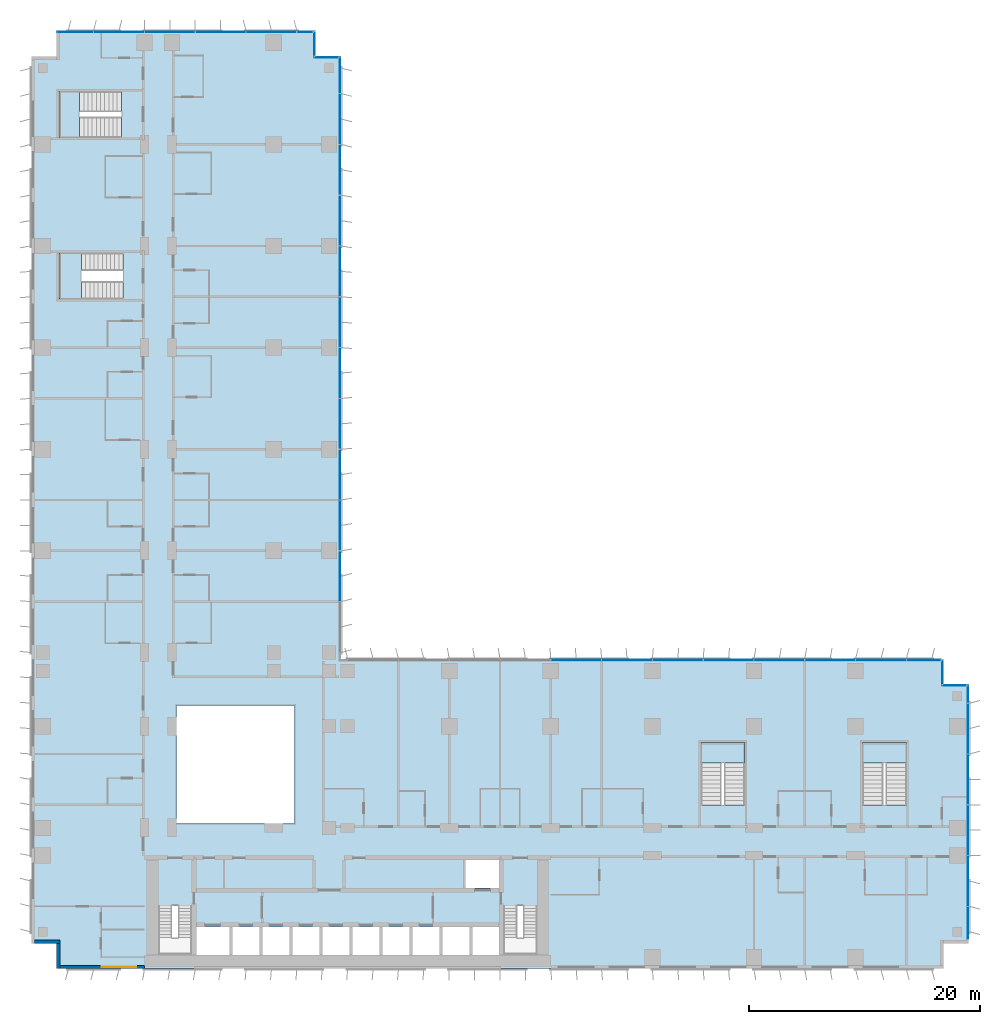
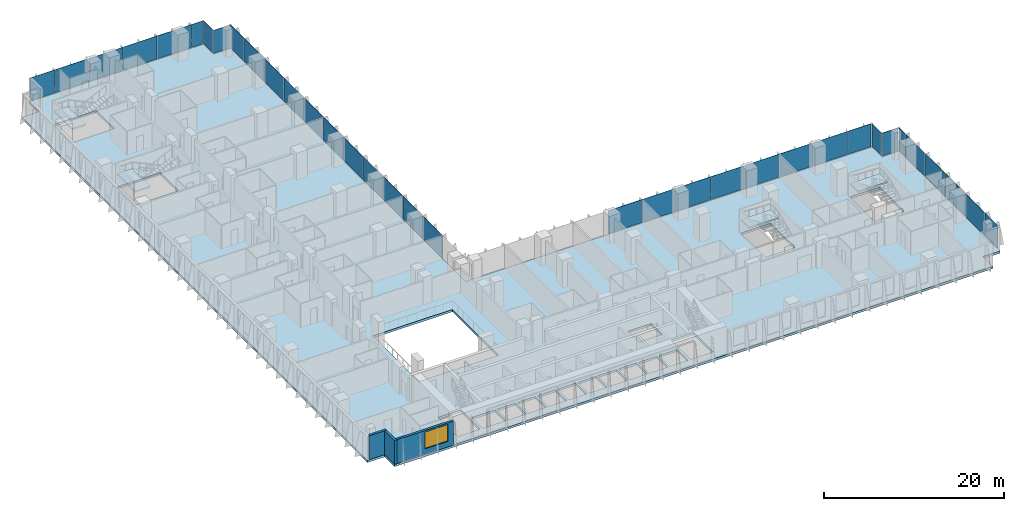
# One storey, part 11 of 23: 35 plates, 5 slabs, 3 walls, 1 window, 1 opening, 12 elements without a shape of their own.
"""IFC4 building model written with IfcOpenShell, lengths in metres."""

from ifc_helpers import new_model, si_unit, direction, frame, frame_2d, origin, origin_2d, place, context, subcontext, project, spatial, polyline, rectangle, outline, extrude, source, transform, mapped, material, layer, layer_set, type_object, element, fill, aggregate, save


model = new_model("IFC4")

# Units and contexts
model_context = context("Model", 3, precision=1e-05, world=origin(), true_north=direction((0.0, 1.0)))
body_context = subcontext(model_context, "Body", "Model", "MODEL_VIEW")
ifc_project = project(units=[si_unit("LENGTHUNIT", "METRE"), si_unit("AREAUNIT", "SQUARE_METRE"), si_unit("VOLUMEUNIT", "CUBIC_METRE"), si_unit("PLANEANGLEUNIT", "RADIAN"), si_unit("MASSUNIT", "GRAM", prefix="KILO")], contexts=[model_context])

# Site, building, storey
site_placement = place(None, origin())
site = spatial("IfcSite", under=ifc_project, at=site_placement, CompositionType="ELEMENT")
building_placement = place(site_placement, origin())
building = spatial("IfcBuilding", under=site, at=building_placement, Name="Kemantara Hotel Tower", CompositionType="ELEMENT")
storey_placement = place(building_placement, frame((0.0, 0.0, 67.300048828125)))
storey = spatial("IfcBuildingStorey", under=building, at=storey_placement, Name="L15", CompositionType="ELEMENT", Elevation=67.300048828125)

# Slab
ifc_material_1 = material(Name="Concrete fc 40 MPa", Category="concrete")
ifc_layer_1 = layer(ifc_material_1, 0.300048828125)
ifc_layer_set_1 = layer_set([ifc_layer_1], Name="Concrete fc 40 MPa")
slab_type_1 = type_object("IfcSlabType", Name="POST-TENSIONED FLAT PLATE 300", PredefinedType="FLOOR", material=ifc_layer_set_1)
slab_1_placement = place(storey_placement, frame((0.0, 0.0, -0.300048828125)))
element("IfcSlab", 1, at=slab_1_placement, inside=storey, type_object=slab_type_1, Name="FLOOR SLAB L15", PredefinedType="FLOOR", context=body_context, shape_type="SweptSolid", body=[
    extrude(outline(polyline([(0.0, 2.199951171875), (2.199951171875, 2.199951171875), (2.199951171875, 0.0), (79.0, 0.0), (79.0, 2.199951171875), (81.199951171875, 2.199951171875), (81.199951171875, 24.60009765625), (79.0, 24.60009765625), (79.0, 26.800048828125), (26.800048828125, 26.800048828125), (26.800048828125, 79.0), (24.60009765625, 79.0), (24.60009765625, 81.199951171875), (2.199951171875, 81.199951171875), (2.199951171875, 79.0), (0.0, 79.0), (0.0, 2.199951171875)]), holes=[polyline([(17.175048828125, 1.199951171875), (14.22509765625, 1.199951171875), (14.22509765625, 3.60009765625), (17.175048828125, 3.60009765625), (17.175048828125, 1.199951171875)]), polyline([(19.77490234375, 1.199951171875), (17.425048828125, 1.199951171875), (17.425048828125, 3.60009765625), (19.77490234375, 3.60009765625), (19.77490234375, 1.199951171875)]), polyline([(22.375, 1.199951171875), (20.02490234375, 1.199951171875), (20.02490234375, 3.60009765625), (22.375, 3.60009765625), (22.375, 1.199951171875)]), polyline([(24.97509765625, 1.199951171875), (22.625, 1.199951171875), (22.625, 3.60009765625), (24.97509765625, 3.60009765625), (24.97509765625, 1.199951171875)]), polyline([(27.574951171875, 1.199951171875), (25.22509765625, 1.199951171875), (25.22509765625, 3.60009765625), (27.574951171875, 3.60009765625), (27.574951171875, 1.199951171875)]), polyline([(11.0, 1.199951171875), (11.0, 5.49951171875), (13.89990234375, 5.49951171875), (13.89990234375, 1.199951171875), (11.0, 1.199951171875)]), polyline([(22.800048828125, 12.60009765625), (12.60009765625, 12.60009765625), (12.60009765625, 22.800048828125), (22.800048828125, 22.800048828125), (22.800048828125, 12.60009765625)]), polyline([(7.949462890625, 62.0), (7.949462890625, 58.0), (2.39990234375, 58.0), (2.39990234375, 62.0), (7.949462890625, 62.0)]), polyline([(7.79931640625, 76.0), (7.79931640625, 72.0), (2.39990234375, 72.0), (2.39990234375, 76.0), (7.79931640625, 76.0)]), polyline([(30.175048828125, 1.199951171875), (27.824951171875, 1.199951171875), (27.824951171875, 3.60009765625), (30.175048828125, 3.60009765625), (30.175048828125, 1.199951171875)]), polyline([(32.77490234375, 1.199951171875), (30.425048828125, 1.199951171875), (30.425048828125, 3.60009765625), (32.77490234375, 3.60009765625), (32.77490234375, 1.199951171875)]), polyline([(35.375, 1.199951171875), (33.02490234375, 1.199951171875), (33.02490234375, 3.60009765625), (35.375, 3.60009765625), (35.375, 1.199951171875)]), polyline([(37.97509765625, 1.199951171875), (35.625, 1.199951171875), (35.625, 3.60009765625), (37.97509765625, 3.60009765625), (37.97509765625, 1.199951171875)]), polyline([(40.574951171875, 1.199951171875), (38.22509765625, 1.199951171875), (38.22509765625, 3.60009765625), (40.574951171875, 3.60009765625), (40.574951171875, 1.199951171875)]), polyline([(40.89990234375, 1.199951171875), (40.89990234375, 5.49951171875), (43.800048828125, 5.49951171875), (43.800048828125, 1.199951171875), (40.89990234375, 1.199951171875)]), polyline([(40.574951171875, 7.0), (37.625, 7.0), (37.625, 9.39990234375), (40.574951171875, 9.39990234375), (40.574951171875, 7.0)]), polyline([(61.800048828125, 14.20068359375), (58.0, 14.20068359375), (58.0, 19.60009765625), (61.800048828125, 19.60009765625), (61.800048828125, 14.20068359375)]), polyline([(75.800048828125, 14.20068359375), (72.0, 14.20068359375), (72.0, 19.60009765625), (75.800048828125, 19.60009765625), (75.800048828125, 14.20068359375)])]), origin(), (0.0, 0.0, 1.0), 0.300048828125),
])

# Stair, slab
stair_type_1 = type_object("IfcStairType", Name="Stair 1800 wide 22 risers of 168 x 360 mm", PredefinedType="HALF_TURN_STAIR", material=ifc_material_1)
stair_1_placement = place(storey_placement, origin())
stair_1 = element("IfcStair", 2, at=stair_1_placement, inside=storey, type_object=stair_type_1, Name="L15 Exit stair ST3", PredefinedType="HALF_TURN_STAIR")
ifc_layer_2 = layer(ifc_material_1, 0.199951171875)
ifc_layer_set_2 = layer_set([ifc_layer_2], Name="Concrete fc 40 MPa")
slab_type_2 = type_object("IfcSlabType", Name="Stair landing 200 mm", PredefinedType="LANDING", material=ifc_layer_set_2)
slab_2_placement = place(storey_placement, frame((0.0, 0.0, 1.64990234375)))
slab_2 = element("IfcSlab", 3, at=slab_2_placement, type_object=slab_type_2, Name="ST3 landing 1", PredefinedType="LANDING", context=body_context, shape_type="SweptSolid", body=[
    extrude(outline(polyline([(61.800048828125, 17.800048828125), (61.800048828125, 19.60009765625), (58.0, 19.60009765625), (58.0, 17.800048828125), (61.800048828125, 17.800048828125)])), origin(), (0.0, 0.0, 1.0), 0.199951171875),
])
aggregate(stair_1, [slab_2])

stair_type_2 = type_object("IfcStairType", Name="Stair 1550 wide 22 risers of 168 x 360 mm", PredefinedType="HALF_TURN_STAIR", material=ifc_material_1)
stair_2_placement = place(storey_placement, origin())
stair_2 = element("IfcStair", 4, at=stair_2_placement, inside=storey, type_object=stair_type_2, Name="L15 Exit stair ST4", PredefinedType="HALF_TURN_STAIR")
slab_3_placement = place(storey_placement, frame((0.0, 0.0, 1.64990234375)))
slab_3 = element("IfcSlab", 5, at=slab_3_placement, type_object=slab_type_2, Name="ST4 landing 1", PredefinedType="LANDING", context=body_context, shape_type="SweptSolid", body=[
    extrude(outline(polyline([(4.35009765625, 62.0), (2.39990234375, 62.0), (2.39990234375, 58.0), (4.35009765625, 58.0), (4.35009765625, 62.0)])), origin(), (0.0, 0.0, 1.0), 0.199951171875),
])
aggregate(stair_2, [slab_3])

stair_3_placement = place(storey_placement, origin())
stair_3 = element("IfcStair", 6, at=stair_3_placement, inside=storey, type_object=stair_type_1, Name="L15 Exit stair ST5", PredefinedType="HALF_TURN_STAIR")
slab_4_placement = place(storey_placement, frame((0.0, 0.0, 1.64990234375)))
slab_4 = element("IfcSlab", 7, at=slab_4_placement, type_object=slab_type_2, Name="ST5 landing 1", PredefinedType="LANDING", context=body_context, shape_type="SweptSolid", body=[
    extrude(outline(polyline([(75.800048828125, 17.800048828125), (75.800048828125, 19.60009765625), (72.0, 19.60009765625), (72.0, 17.800048828125), (75.800048828125, 17.800048828125)])), origin(), (0.0, 0.0, 1.0), 0.199951171875),
])
aggregate(stair_3, [slab_4])

stair_4_placement = place(storey_placement, origin())
stair_4 = element("IfcStair", 8, at=stair_4_placement, inside=storey, type_object=stair_type_1, Name="L15 Exit stair ST6", PredefinedType="HALF_TURN_STAIR")
slab_5_placement = place(storey_placement, frame((0.0, 0.0, 1.64990234375)))
slab_5 = element("IfcSlab", 9, at=slab_5_placement, type_object=slab_type_2, Name="ST6 landing 1", PredefinedType="LANDING", context=body_context, shape_type="SweptSolid", body=[
    extrude(outline(polyline([(4.199951171875, 76.0), (2.39990234375, 76.0), (2.39990234375, 72.0), (4.199951171875, 72.0), (4.199951171875, 76.0)])), origin(), (0.0, 0.0, 1.0), 0.199951171875),
])
aggregate(stair_4, [slab_5])

# Curtain wall, plates
ifc_material_2 = material(Name="Low-E tinted double insulated glass 36 mm", Category="glass")
curtain_wall_type = type_object("IfcCurtainWallType", Name="TOWER CURTAIN WALL, FRONT FACES", PredefinedType="USERDEFINED", material=ifc_material_2)
curtain_wall_1_placement = place(storey_placement, origin())
curtain_wall_1 = element("IfcCurtainWall", 10, at=curtain_wall_1_placement, inside=storey, type_object=curtain_wall_type, Name="CW4 L15 T1-R04-1", ObjectType="TOWER CURTAIN WALL, FRONT FACES", PredefinedType="USERDEFINED")
ifc_layer_3 = layer(ifc_material_2, 0.035888671875)
ifc_layer_set_3 = layer_set([ifc_layer_3], Name="Low-E tinted double insulated glass 36 mm")
plate_type = type_object("IfcPlateType", Name="TOWER CURTAIN WALL, FRONT FACES PANEL", PredefinedType="CURTAIN_PANEL", material=ifc_layer_set_3)
shared_shape_1 = source(origin(), body_context, "Body", "SweptSolid", [
    extrude(rectangle(XDim=2.81005859375, YDim=0.035888671875, at=origin_2d()), origin(), (0.0, 0.0, 1.0), 3.1298828125),
])
plate_1_placement = place(storey_placement, frame((81.125, 3.965087890625, 0.1201171875), z_axis=(0.0, 0.0, 1.0), x_axis=(0.0, 1.0, 0.0)))
plate_1 = element("IfcPlate", 11, at=plate_1_placement, type_object=plate_type, Name="CW4 glass panel T1-R04-1.1", PredefinedType="CURTAIN_PANEL", context=body_context, shape_type="MappedRepresentation", body=[
    mapped(shared_shape_1, transform((0.0, 0.0, 0.0))),
])
shared_shape_2 = source(origin(), body_context, "Body", "SweptSolid", [
    extrude(rectangle(XDim=4.340087890625, YDim=0.035888671875, at=origin_2d()), origin(), (0.0, 0.0, 1.0), 3.1298828125),
])
plate_2_placement = place(storey_placement, frame((81.125, 7.60009765625, 0.1201171875), z_axis=(0.0, 0.0, 1.0), x_axis=(0.0, 1.0, 0.0)))
plate_2 = element("IfcPlate", 12, at=plate_2_placement, type_object=plate_type, Name="CW4 glass panel T1-R04-1.2", PredefinedType="CURTAIN_PANEL", context=body_context, shape_type="MappedRepresentation", body=[
    mapped(shared_shape_2, transform((0.0, 0.0, 0.0))),
])
plate_3_placement = place(storey_placement, frame((81.125, 12.0, 0.1201171875), z_axis=(0.0, 0.0, 1.0), x_axis=(0.0, 1.0, 0.0)))
plate_3 = element("IfcPlate", 13, at=plate_3_placement, type_object=plate_type, Name="CW4 glass panel T1-R04-1.3", PredefinedType="CURTAIN_PANEL", context=body_context, shape_type="MappedRepresentation", body=[
    mapped(shared_shape_2, transform((0.0, 0.0, 0.0))),
])
plate_4_placement = place(storey_placement, frame((81.125, 16.39990234375, 0.1201171875), z_axis=(0.0, 0.0, 1.0), x_axis=(0.0, 1.0, 0.0)))
plate_4 = element("IfcPlate", 14, at=plate_4_placement, type_object=plate_type, Name="CW4 glass panel T1-R04-1.4", PredefinedType="CURTAIN_PANEL", context=body_context, shape_type="MappedRepresentation", body=[
    mapped(shared_shape_2, transform((0.0, 0.0, 0.0))),
])
plate_5_placement = place(storey_placement, frame((81.125, 20.800048828125, 0.1201171875), z_axis=(0.0, 0.0, 1.0), x_axis=(0.0, 1.0, 0.0)))
plate_5 = element("IfcPlate", 15, at=plate_5_placement, type_object=plate_type, Name="CW4 glass panel T1-R04-1.5", PredefinedType="CURTAIN_PANEL", context=body_context, shape_type="MappedRepresentation", body=[
    mapped(shared_shape_2, transform((0.0, 0.0, 0.0))),
])

curtain_wall_2_placement = place(storey_placement, origin())
curtain_wall_2 = element("IfcCurtainWall", 16, at=curtain_wall_2_placement, inside=storey, type_object=curtain_wall_type, Name="CW4 L15 T1-R07-1", ObjectType="TOWER CURTAIN WALL, FRONT FACES", PredefinedType="USERDEFINED")
plate_6_placement = place(storey_placement, frame((73.60009765625, 26.72509765625, 0.1201171875), z_axis=(0.0, 0.0, 1.0), x_axis=(-1.0, 0.0, 0.0)))
plate_6 = element("IfcPlate", 17, at=plate_6_placement, type_object=plate_type, Name="CW4 glass panel T1-R07-1.2", PredefinedType="CURTAIN_PANEL", context=body_context, shape_type="MappedRepresentation", body=[
    mapped(shared_shape_2, transform((0.0, 0.0, 0.0))),
])
plate_7_placement = place(storey_placement, frame((69.199951171875, 26.72509765625, 0.1201171875), z_axis=(0.0, 0.0, 1.0), x_axis=(-1.0, 0.0, 0.0)))
plate_7 = element("IfcPlate", 18, at=plate_7_placement, type_object=plate_type, Name="CW4 glass panel T1-R07-1.3", PredefinedType="CURTAIN_PANEL", context=body_context, shape_type="MappedRepresentation", body=[
    mapped(shared_shape_2, transform((0.0, 0.0, 0.0))),
])
plate_8_placement = place(storey_placement, frame((64.800048828125, 26.72509765625, 0.1201171875), z_axis=(0.0, 0.0, 1.0), x_axis=(-1.0, 0.0, 0.0)))
plate_8 = element("IfcPlate", 19, at=plate_8_placement, type_object=plate_type, Name="CW4 glass panel T1-R07-1.4", PredefinedType="CURTAIN_PANEL", context=body_context, shape_type="MappedRepresentation", body=[
    mapped(shared_shape_2, transform((0.0, 0.0, 0.0))),
])
plate_9_placement = place(storey_placement, frame((60.39990234375, 26.72509765625, 0.1201171875), z_axis=(0.0, 0.0, 1.0), x_axis=(-1.0, 0.0, 0.0)))
plate_9 = element("IfcPlate", 20, at=plate_9_placement, type_object=plate_type, Name="CW4 glass panel T1-R07-1.5", PredefinedType="CURTAIN_PANEL", context=body_context, shape_type="MappedRepresentation", body=[
    mapped(shared_shape_2, transform((0.0, 0.0, 0.0))),
])
plate_10_placement = place(storey_placement, frame((56.0, 26.72509765625, 0.1201171875), z_axis=(0.0, 0.0, 1.0), x_axis=(-1.0, 0.0, 0.0)))
plate_10 = element("IfcPlate", 21, at=plate_10_placement, type_object=plate_type, Name="CW4 glass panel T1-R07-1.6", PredefinedType="CURTAIN_PANEL", context=body_context, shape_type="MappedRepresentation", body=[
    mapped(shared_shape_2, transform((0.0, 0.0, 0.0))),
])
plate_11_placement = place(storey_placement, frame((51.60009765625, 26.72509765625, 0.1201171875), z_axis=(0.0, 0.0, 1.0), x_axis=(-1.0, 0.0, 0.0)))
plate_11 = element("IfcPlate", 22, at=plate_11_placement, type_object=plate_type, Name="CW4 glass panel T1-R07-1.7", PredefinedType="CURTAIN_PANEL", context=body_context, shape_type="MappedRepresentation", body=[
    mapped(shared_shape_2, transform((0.0, 0.0, 0.0))),
])
plate_12_placement = place(storey_placement, frame((47.199951171875, 26.72509765625, 0.1201171875), z_axis=(0.0, 0.0, 1.0), x_axis=(-1.0, 0.0, 0.0)))
plate_12 = element("IfcPlate", 23, at=plate_12_placement, type_object=plate_type, Name="CW4 glass panel T1-R07-1.8", PredefinedType="CURTAIN_PANEL", context=body_context, shape_type="MappedRepresentation", body=[
    mapped(shared_shape_2, transform((0.0, 0.0, 0.0))),
])

curtain_wall_3_placement = place(storey_placement, origin())
curtain_wall_3 = element("IfcCurtainWall", 24, at=curtain_wall_3_placement, inside=storey, type_object=curtain_wall_type, Name="CW4 L15 T1-R08-1", ObjectType="TOWER CURTAIN WALL, FRONT FACES", PredefinedType="USERDEFINED")
plate_13_placement = place(storey_placement, frame((26.72509765625, 34.0, 0.1201171875), z_axis=(0.0, 0.0, 1.0), x_axis=(0.0, 1.0, 0.0)))
plate_13 = element("IfcPlate", 25, at=plate_13_placement, type_object=plate_type, Name="CW4 glass panel T1-R08-1.3", PredefinedType="CURTAIN_PANEL", context=body_context, shape_type="MappedRepresentation", body=[
    mapped(shared_shape_2, transform((0.0, 0.0, 0.0))),
])
plate_14_placement = place(storey_placement, frame((26.72509765625, 38.39990234375, 0.1201171875), z_axis=(0.0, 0.0, 1.0), x_axis=(0.0, 1.0, 0.0)))
plate_14 = element("IfcPlate", 26, at=plate_14_placement, type_object=plate_type, Name="CW4 glass panel T1-R08-1.4", PredefinedType="CURTAIN_PANEL", context=body_context, shape_type="MappedRepresentation", body=[
    mapped(shared_shape_2, transform((0.0, 0.0, 0.0))),
])
plate_15_placement = place(storey_placement, frame((26.72509765625, 42.800048828125, 0.1201171875), z_axis=(0.0, 0.0, 1.0), x_axis=(0.0, 1.0, 0.0)))
plate_15 = element("IfcPlate", 27, at=plate_15_placement, type_object=plate_type, Name="CW4 glass panel T1-R08-1.5", PredefinedType="CURTAIN_PANEL", context=body_context, shape_type="MappedRepresentation", body=[
    mapped(shared_shape_2, transform((0.0, 0.0, 0.0))),
])
plate_16_placement = place(storey_placement, frame((26.72509765625, 47.199951171875, 0.1201171875), z_axis=(0.0, 0.0, 1.0), x_axis=(0.0, 1.0, 0.0)))
plate_16 = element("IfcPlate", 28, at=plate_16_placement, type_object=plate_type, Name="CW4 glass panel T1-R08-1.6", PredefinedType="CURTAIN_PANEL", context=body_context, shape_type="MappedRepresentation", body=[
    mapped(shared_shape_2, transform((0.0, 0.0, 0.0))),
])
plate_17_placement = place(storey_placement, frame((26.72509765625, 51.60009765625, 0.1201171875), z_axis=(0.0, 0.0, 1.0), x_axis=(0.0, 1.0, 0.0)))
plate_17 = element("IfcPlate", 29, at=plate_17_placement, type_object=plate_type, Name="CW4 glass panel T1-R08-1.7", PredefinedType="CURTAIN_PANEL", context=body_context, shape_type="MappedRepresentation", body=[
    mapped(shared_shape_2, transform((0.0, 0.0, 0.0))),
])
plate_18_placement = place(storey_placement, frame((26.72509765625, 56.0, 0.1201171875), z_axis=(0.0, 0.0, 1.0), x_axis=(0.0, 1.0, 0.0)))
plate_18 = element("IfcPlate", 30, at=plate_18_placement, type_object=plate_type, Name="CW4 glass panel T1-R08-1.8", PredefinedType="CURTAIN_PANEL", context=body_context, shape_type="MappedRepresentation", body=[
    mapped(shared_shape_2, transform((0.0, 0.0, 0.0))),
])
plate_19_placement = place(storey_placement, frame((26.72509765625, 60.39990234375, 0.1201171875), z_axis=(0.0, 0.0, 1.0), x_axis=(0.0, 1.0, 0.0)))
plate_19 = element("IfcPlate", 31, at=plate_19_placement, type_object=plate_type, Name="CW4 glass panel T1-R08-1.9", PredefinedType="CURTAIN_PANEL", context=body_context, shape_type="MappedRepresentation", body=[
    mapped(shared_shape_2, transform((0.0, 0.0, 0.0))),
])
plate_20_placement = place(storey_placement, frame((26.72509765625, 64.800048828125, 0.1201171875), z_axis=(0.0, 0.0, 1.0), x_axis=(0.0, 1.0, 0.0)))
plate_20 = element("IfcPlate", 32, at=plate_20_placement, type_object=plate_type, Name="CW4 glass panel T1-R08-1.10", PredefinedType="CURTAIN_PANEL", context=body_context, shape_type="MappedRepresentation", body=[
    mapped(shared_shape_2, transform((0.0, 0.0, 0.0))),
])
plate_21_placement = place(storey_placement, frame((26.72509765625, 69.199951171875, 0.1201171875), z_axis=(0.0, 0.0, 1.0), x_axis=(0.0, 1.0, 0.0)))
plate_21 = element("IfcPlate", 33, at=plate_21_placement, type_object=plate_type, Name="CW4 glass panel T1-R08-1.11", PredefinedType="CURTAIN_PANEL", context=body_context, shape_type="MappedRepresentation", body=[
    mapped(shared_shape_2, transform((0.0, 0.0, 0.0))),
])
plate_22_placement = place(storey_placement, frame((26.72509765625, 73.60009765625, 0.1201171875), z_axis=(0.0, 0.0, 1.0), x_axis=(0.0, 1.0, 0.0)))
plate_22 = element("IfcPlate", 34, at=plate_22_placement, type_object=plate_type, Name="CW4 glass panel T1-R08-1.12", PredefinedType="CURTAIN_PANEL", context=body_context, shape_type="MappedRepresentation", body=[
    mapped(shared_shape_2, transform((0.0, 0.0, 0.0))),
])

curtain_wall_4_placement = place(storey_placement, origin())
curtain_wall_4 = element("IfcCurtainWall", 35, at=curtain_wall_4_placement, inside=storey, type_object=curtain_wall_type, Name="CW4 L15 T1-R11-1", ObjectType="TOWER CURTAIN WALL, FRONT FACES", PredefinedType="USERDEFINED")
plate_23_placement = place(storey_placement, frame((20.800048828125, 81.125, 0.1201171875), z_axis=(0.0, 0.0, 1.0), x_axis=(-1.0, 0.0, 0.0)))
plate_23 = element("IfcPlate", 36, at=plate_23_placement, type_object=plate_type, Name="CW4 glass panel T1-R11-1.2", PredefinedType="CURTAIN_PANEL", context=body_context, shape_type="MappedRepresentation", body=[
    mapped(shared_shape_2, transform((0.0, 0.0, 0.0))),
])
plate_24_placement = place(storey_placement, frame((16.39990234375, 81.125, 0.1201171875), z_axis=(0.0, 0.0, 1.0), x_axis=(-1.0, 0.0, 0.0)))
plate_24 = element("IfcPlate", 37, at=plate_24_placement, type_object=plate_type, Name="CW4 glass panel T1-R11-1.3", PredefinedType="CURTAIN_PANEL", context=body_context, shape_type="MappedRepresentation", body=[
    mapped(shared_shape_2, transform((0.0, 0.0, 0.0))),
])
plate_25_placement = place(storey_placement, frame((12.0, 81.125, 0.1201171875), z_axis=(0.0, 0.0, 1.0), x_axis=(-1.0, 0.0, 0.0)))
plate_25 = element("IfcPlate", 38, at=plate_25_placement, type_object=plate_type, Name="CW4 glass panel T1-R11-1.4", PredefinedType="CURTAIN_PANEL", context=body_context, shape_type="MappedRepresentation", body=[
    mapped(shared_shape_2, transform((0.0, 0.0, 0.0))),
])
plate_26_placement = place(storey_placement, frame((7.60009765625, 81.125, 0.1201171875), z_axis=(0.0, 0.0, 1.0), x_axis=(-1.0, 0.0, 0.0)))
plate_26 = element("IfcPlate", 39, at=plate_26_placement, type_object=plate_type, Name="CW4 glass panel T1-R11-1.5", PredefinedType="CURTAIN_PANEL", context=body_context, shape_type="MappedRepresentation", body=[
    mapped(shared_shape_2, transform((0.0, 0.0, 0.0))),
])

# Plate
shared_shape_3 = source(origin(), body_context, "Body", "SweptSolid", [
    extrude(rectangle(XDim=1.510009765625, YDim=0.035888671875, at=origin_2d()), origin(), (0.0, 0.0, 1.0), 3.1298828125),
])
plate_27_placement = place(storey_placement, frame((81.125, 23.784912109375, 0.1201171875), z_axis=(0.0, 0.0, 1.0), x_axis=(0.0, 1.0, 0.0)))
plate_27 = element("IfcPlate", 40, at=plate_27_placement, type_object=plate_type, Name="CW4 glass panel T1-R04-1.6", PredefinedType="CURTAIN_PANEL", context=body_context, shape_type="MappedRepresentation", body=[
    mapped(shared_shape_3, transform((0.0, 0.0, 0.0))),
])

aggregate(curtain_wall_1, [plate_1, plate_2, plate_3, plate_4, plate_5, plate_27])

shared_shape_4 = source(origin(), body_context, "Body", "SweptSolid", [
    extrude(rectangle(XDim=2.9599609375, YDim=0.035888671875, at=origin_2d()), origin(), (0.0, 0.0, 1.0), 3.1298828125),
])
plate_28_placement = place(storey_placement, frame((77.31005859375, 26.72509765625, 0.1201171875), z_axis=(0.0, 0.0, 1.0), x_axis=(-1.0, 0.0, 0.0)))
plate_28 = element("IfcPlate", 41, at=plate_28_placement, type_object=plate_type, Name="CW4 glass panel T1-R07-1.1", PredefinedType="CURTAIN_PANEL", context=body_context, shape_type="MappedRepresentation", body=[
    mapped(shared_shape_4, transform((0.0, 0.0, 0.0))),
])

aggregate(curtain_wall_2, [plate_28, plate_6, plate_7, plate_8, plate_9, plate_10, plate_11, plate_12])

shared_shape_5 = source(origin(), body_context, "Body", "SweptSolid", [
    extrude(rectangle(XDim=3.110107421875, YDim=0.035888671875, at=origin_2d()), origin(), (0.0, 0.0, 1.0), 3.1298828125),
])
plate_29_placement = place(storey_placement, frame((26.72509765625, 77.385009765625, 0.1201171875), z_axis=(0.0, 0.0, 1.0), x_axis=(0.0, 1.0, 0.0)))
plate_29 = element("IfcPlate", 42, at=plate_29_placement, type_object=plate_type, Name="CW4 glass panel T1-R08-1.13", PredefinedType="CURTAIN_PANEL", context=body_context, shape_type="MappedRepresentation", body=[
    mapped(shared_shape_5, transform((0.0, 0.0, 0.0))),
])

aggregate(curtain_wall_3, [plate_13, plate_14, plate_15, plate_16, plate_17, plate_18, plate_19, plate_20, plate_21, plate_22, plate_29])

plate_30_placement = place(storey_placement, frame((3.81494140625, 81.125, 0.1201171875), z_axis=(0.0, 0.0, 1.0), x_axis=(-1.0, 0.0, 0.0)))
plate_30 = element("IfcPlate", 43, at=plate_30_placement, type_object=plate_type, Name="CW4 glass panel T1-R11-1.6", PredefinedType="CURTAIN_PANEL", context=body_context, shape_type="MappedRepresentation", body=[
    mapped(shared_shape_5, transform((0.0, 0.0, 0.0))),
])

shared_shape_6 = source(origin(), body_context, "Body", "SweptSolid", [
    extrude(rectangle(XDim=1.360107421875, YDim=0.035888671875, at=origin_2d()), origin(), (0.0, 0.0, 1.0), 3.1298828125),
])
plate_31_placement = place(storey_placement, frame((23.7099609375, 81.125, 0.1201171875), z_axis=(0.0, 0.0, 1.0), x_axis=(-1.0, 0.0, 0.0)))
plate_31 = element("IfcPlate", 44, at=plate_31_placement, type_object=plate_type, Name="CW4 glass panel T1-R11-1.1", PredefinedType="CURTAIN_PANEL", context=body_context, shape_type="MappedRepresentation", body=[
    mapped(shared_shape_6, transform((0.0, 0.0, 0.0))),
])

aggregate(curtain_wall_4, [plate_31, plate_23, plate_24, plate_25, plate_26, plate_30])

# Curtain wall, plate
curtain_wall_5_placement = place(storey_placement, origin())
curtain_wall_5 = element("IfcCurtainWall", 45, at=curtain_wall_5_placement, inside=storey, type_object=curtain_wall_type, Name="CW4 L15 T1-R05-1", ObjectType="TOWER CURTAIN WALL, FRONT FACES", PredefinedType="USERDEFINED")
shared_shape_7 = source(origin(), body_context, "Body", "SweptSolid", [
    extrude(rectangle(XDim=2.080078125, YDim=0.035888671875, at=origin_2d()), origin(), (0.0, 0.0, 1.0), 3.1298828125),
])
plate_32_placement = place(storey_placement, frame((79.949951171875, 24.52490234375, 0.1201171875), z_axis=(0.0, 0.0, 1.0), x_axis=(-1.0, 0.0, 0.0)))
plate_32 = element("IfcPlate", 46, at=plate_32_placement, type_object=plate_type, Name="CW4 glass panel T1-R05-1.1", PredefinedType="CURTAIN_PANEL", context=body_context, shape_type="MappedRepresentation", body=[
    mapped(shared_shape_7, transform((0.0, 0.0, 0.0))),
])
aggregate(curtain_wall_5, [plate_32])

curtain_wall_6_placement = place(storey_placement, origin())
curtain_wall_6 = element("IfcCurtainWall", 47, at=curtain_wall_6_placement, inside=storey, type_object=curtain_wall_type, Name="CW4 L15 T1-R06-1", ObjectType="TOWER CURTAIN WALL, FRONT FACES", PredefinedType="USERDEFINED")
plate_33_placement = place(storey_placement, frame((78.925048828125, 25.699951171875, 0.1201171875), z_axis=(0.0, 0.0, 1.0), x_axis=(0.0, 1.0, 0.0)))
plate_33 = element("IfcPlate", 48, at=plate_33_placement, type_object=plate_type, Name="CW4 glass panel T1-R06-1.1", PredefinedType="CURTAIN_PANEL", context=body_context, shape_type="MappedRepresentation", body=[
    mapped(shared_shape_7, transform((0.0, 0.0, 0.0))),
])
aggregate(curtain_wall_6, [plate_33])

curtain_wall_7_placement = place(storey_placement, origin())
curtain_wall_7 = element("IfcCurtainWall", 49, at=curtain_wall_7_placement, inside=storey, type_object=curtain_wall_type, Name="CW4 L15 T1-R09-1", ObjectType="TOWER CURTAIN WALL, FRONT FACES", PredefinedType="USERDEFINED")
plate_34_placement = place(storey_placement, frame((25.550048828125, 78.925048828125, 0.1201171875), z_axis=(0.0, 0.0, 1.0), x_axis=(-1.0, 0.0, 0.0)))
plate_34 = element("IfcPlate", 50, at=plate_34_placement, type_object=plate_type, Name="CW4 glass panel T1-R09-1.1", PredefinedType="CURTAIN_PANEL", context=body_context, shape_type="MappedRepresentation", body=[
    mapped(shared_shape_7, transform((0.0, 0.0, 0.0))),
])
aggregate(curtain_wall_7, [plate_34])

curtain_wall_8_placement = place(storey_placement, origin())
curtain_wall_8 = element("IfcCurtainWall", 51, at=curtain_wall_8_placement, inside=storey, type_object=curtain_wall_type, Name="CW4 L15 T1-R10-1", ObjectType="TOWER CURTAIN WALL, FRONT FACES", PredefinedType="USERDEFINED")
plate_35_placement = place(storey_placement, frame((24.52490234375, 80.10009765625, 0.1201171875), z_axis=(0.0, 0.0, 1.0), x_axis=(0.0, 1.0, 0.0)))
plate_35 = element("IfcPlate", 52, at=plate_35_placement, type_object=plate_type, Name="CW4 glass panel T1-R10-1.1", PredefinedType="CURTAIN_PANEL", context=body_context, shape_type="MappedRepresentation", body=[
    mapped(shared_shape_7, transform((0.0, 0.0, 0.0))),
])
aggregate(curtain_wall_8, [plate_35])

# Wall
ifc_material_3 = material(Name="Bronze anodised aluminium cladding on insulated steel stud wall", Category="steel")
ifc_layer_4 = layer(ifc_material_3, 0.300048828125)
ifc_layer_set_4 = layer_set([ifc_layer_4], Name="Bronze anodised aluminium cladding on insulated steel stud wall")
wall_type = type_object("IfcWallType", Name="BRONZE METAL-CLAD EXTERNAL WALL 300", PredefinedType="STANDARD", material=ifc_layer_set_4)
wall_1_placement = place(storey_placement, frame((2.35009765625, 2.199951171875, 0.0), z_axis=(0.0, 0.0, 1.0), x_axis=(0.0, -1.0, 0.0)))
element("IfcWall", 53, at=wall_1_placement, inside=storey, type_object=wall_type, Name="EXTERNAL WALL L15 T1-R00", PredefinedType="STANDARD", context=body_context, shape_type="SweptSolid", body=[
    extrude(rectangle(XDim=2.199951171875, YDim=0.300048828125, at=frame_2d((1.10009765625, 0.0))), origin(), (0.0, 0.0, 1.0), 3.25),
])

# Wall, opening, window
wall_2_placement = place(storey_placement, frame((2.5, 0.14990234375, 0.0), z_axis=(0.0, 0.0, 1.0), x_axis=(1.0, 0.0, 0.0)))
wall_2 = element("IfcWall", 54, at=wall_2_placement, inside=storey, type_object=wall_type, Name="EXTERNAL WALL L15 T1-R01", PredefinedType="STANDARD", context=body_context, shape_type="SweptSolid", body=[
    extrude(rectangle(XDim=7.300048828125, YDim=0.300048828125, at=frame_2d((3.64990234375, 0.0))), origin(), (0.0, 0.0, 1.0), 3.25),
])
opening_placement = place(wall_2_placement, frame((3.60009765625, 0.0, 0.75)))
opening = element("IfcOpeningElement", 55, at=opening_placement, cuts=wall_2, Name="Opening W1", PredefinedType="OPENING", context=body_context, shape_type="SweptSolid", body=[
    extrude(rectangle(XDim=3.0, YDim=2.300048828125, at=frame_2d((1.5, 1.14990234375))), frame((0.0, 0.159912109375, 0.0), z_axis=(0.0, -1.0, 0.0), x_axis=(1.0, 0.0, 0.0)), (0.0, 0.0, 1.0), 0.320068359375),
])
ifc_material_4 = material(Name="Low-E tinted double insulated glass in bronze anodised aluminium frame", Category="aluminium")
window_type = type_object("IfcWindowType", Name="CHICAGO WINDOW, TRIPLE PANEL 3000x2300", PartitioningType="TRIPLE_PANEL_VERTICAL", PredefinedType="WINDOW", material=ifc_material_4)
window_placement = place(opening_placement, origin())
window = element("IfcWindow", 56, at=window_placement, inside=storey, type_object=window_type, Name="CHICAGO WINDOW L15 T1-R01-54", OverallHeight=2.300048828125, OverallWidth=3.0, PartitioningType="SINGLE_PANEL", PredefinedType="WINDOW", context=body_context, shape_type="SweptSolid", body=[
    extrude(rectangle(XDim=3.0, YDim=2.300048828125, at=frame_2d((1.5, 1.14990234375))), frame((0.0, 0.030029296875, 0.0), z_axis=(0.0, -1.0, 0.0), x_axis=(1.0, 0.0, 0.0)), (0.0, 0.0, 1.0), 0.06005859375),
])
fill(opening, window)

# Wall
wall_3_placement = place(storey_placement, frame((0.300048828125, 2.35009765625, 0.0), z_axis=(0.0, 0.0, 1.0), x_axis=(1.0, 0.0, 0.0)))
element("IfcWall", 57, at=wall_3_placement, inside=storey, type_object=wall_type, Name="EXTERNAL WALL L15 T1-R15", PredefinedType="STANDARD", context=body_context, shape_type="SweptSolid", body=[
    extrude(rectangle(XDim=2.199951171875, YDim=0.300048828125, at=frame_2d((1.10009765625, 0.0))), origin(), (0.0, 0.0, 1.0), 3.25),
])

save(model, "model.ifc")
